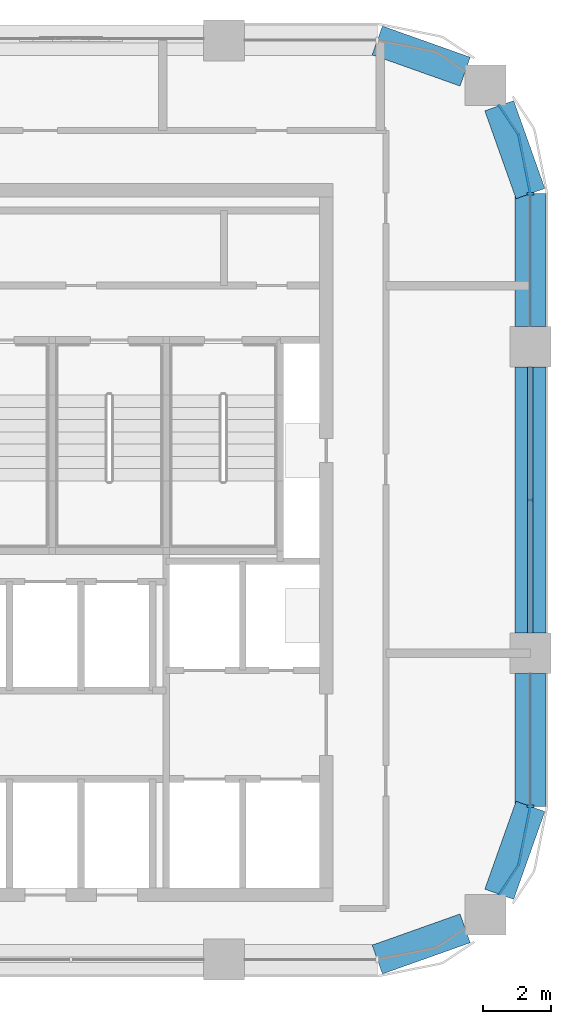
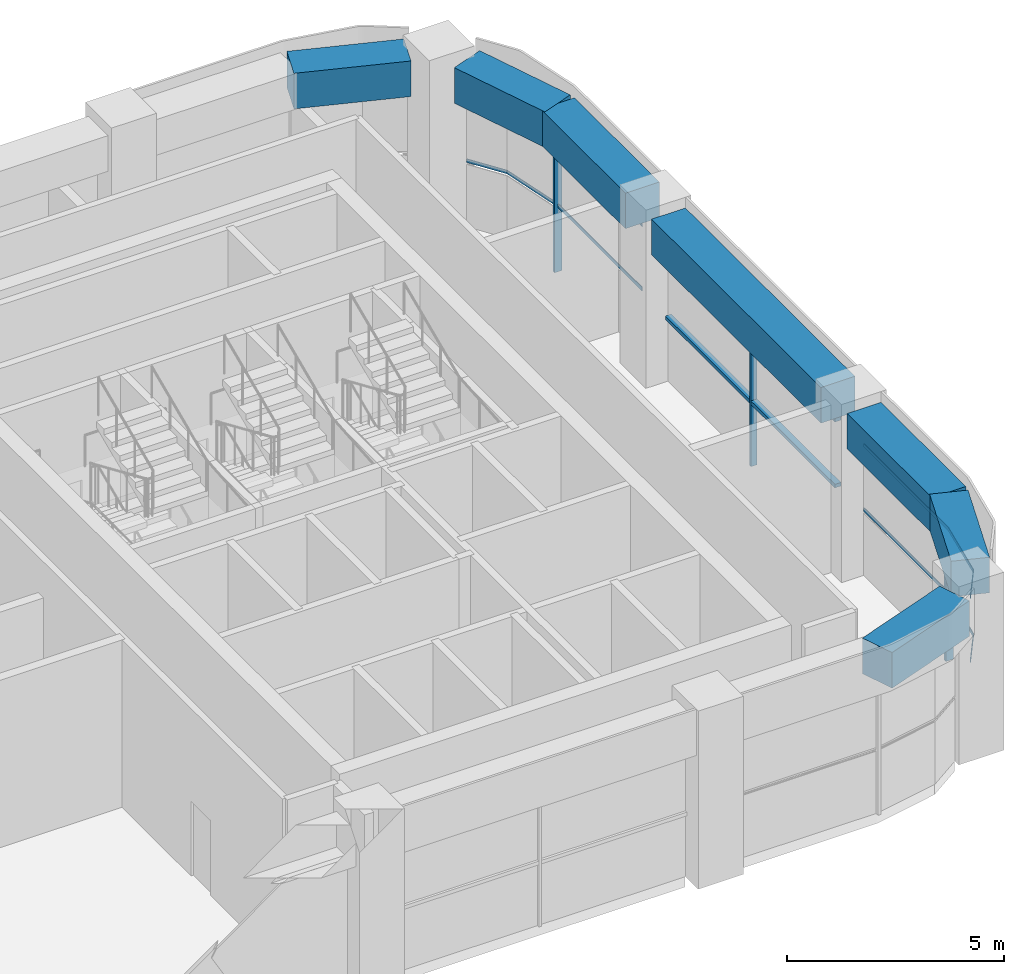
# One storey, part 5 of 15: 9 members, 7 beams, 3 elements without a shape of their own.
"""IFC4 building model written with IfcOpenShell, lengths in metres."""

from ifc_helpers import new_model, si_unit, direction, frame, origin, origin_2d, place, context, subcontext, project, spatial, polyline, rectangle, outline, extrude, material, material_profile, profile_set, type_object, element, aggregate, save


model = new_model("IFC4")

# Units and contexts
model_context = context("Model", 3, precision=1e-05, world=origin(), true_north=direction((0.0, 1.0)))
body_context = subcontext(model_context, "Body", "Model", "MODEL_VIEW")
ifc_project = project(units=[si_unit("LENGTHUNIT", "METRE"), si_unit("AREAUNIT", "SQUARE_METRE"), si_unit("VOLUMEUNIT", "CUBIC_METRE"), si_unit("PLANEANGLEUNIT", "RADIAN"), si_unit("MASSUNIT", "GRAM", prefix="KILO")], contexts=[model_context])

# Site, building, storey
site_placement = place(None, origin())
site = spatial("IfcSite", under=ifc_project, at=site_placement, CompositionType="ELEMENT")
building_placement = place(site_placement, origin())
building = spatial("IfcBuilding", under=site, at=building_placement, Name="Tessera Arch", CompositionType="ELEMENT")
storey_placement = place(building_placement, frame((0.0, 0.0, 285.199951171875)))
storey = spatial("IfcBuildingStorey", under=building, at=storey_placement, Name="L69", CompositionType="ELEMENT", Elevation=285.199951171875)

# Curtain wall, members
ifc_material_1 = material(Name="CW1 curtain wall")
curtain_wall_type_1 = type_object("IfcCurtainWallType", Name="CW1 curtain wall", PredefinedType="NOTDEFINED", material=ifc_material_1)
curtain_wall_1_placement = place(storey_placement, origin())
curtain_wall_1 = element("IfcCurtainWall", 1, at=curtain_wall_1_placement, inside=storey, type_object=curtain_wall_type_1, Name="CW1 curtain wall E54.27/0 L69", PredefinedType="NOTDEFINED")
ifc_material_2 = material(Name="Anodised aluminium pale metal", Category="aluminium")
ifc_material_profile_1 = material_profile(ifc_material_2, rectangle(XDim=0.159912109375, YDim=0.06005859375, at=origin_2d()), Name="AL 60x160")
ifc_profile_set_1 = profile_set([ifc_material_profile_1], Name="Anodised aluminium pale metal")
member_type_1 = type_object("IfcMemberType", Name="CW1 mullion", PredefinedType="MULLION", material=ifc_profile_set_1)
member_1_placement = place(storey_placement, frame((54.0, 40.5, 0.0), z_axis=(0.0, 0.0, 1.0), x_axis=(-1.0, 0.0, 0.0)))
member_1 = element("IfcMember", 2, at=member_1_placement, type_object=member_type_1, Name="CW1 mullion E54.27/0 1", PredefinedType="MULLION", context=body_context, shape_type="SweptSolid", body=[
    extrude(rectangle(XDim=0.159912109375, YDim=0.06005859375, at=origin_2d()), origin(), (0.0, 0.0, 1.0), 3.60009765625),
])
ifc_material_3 = material(Name="Anodised aluminium pale metal", Category="aluminium")
ifc_material_profile_2 = material_profile(ifc_material_3, rectangle(XDim=0.159912109375, YDim=0.10009765625, at=origin_2d()), Name="AL 160x100")
ifc_profile_set_2 = profile_set([ifc_material_profile_2], Name="Anodised aluminium pale metal")
member_type_2 = type_object("IfcMemberType", Name="CW1 transom", PredefinedType="USERDEFINED", material=ifc_profile_set_2)
member_2_placement = place(storey_placement, frame((54.0, 36.60009765625, 3.650146484375), z_axis=(0.0, 1.0, 0.0), x_axis=(-1.0, 0.0, 0.0)))
member_2 = element("IfcMember", 3, at=member_2_placement, type_object=member_type_2, Name="CW1 transom E54.27/0 1.1", ObjectType="TRANSOM", PredefinedType="USERDEFINED", context=body_context, shape_type="SweptSolid", body=[
    extrude(rectangle(XDim=0.159912109375, YDim=0.10009765625, at=origin_2d()), origin(), (0.0, 0.0, 1.0), 7.7998046875),
])
member_3_placement = place(storey_placement, frame((54.0, 36.60009765625, 1.800048828125), z_axis=(0.0, 1.0, 0.0), x_axis=(-1.0, 0.0, 0.0)))
member_3 = element("IfcMember", 4, at=member_3_placement, type_object=member_type_2, Name="CW1 transom E54.27/0 2.1", ObjectType="TRANSOM", PredefinedType="USERDEFINED", context=body_context, shape_type="SweptSolid", body=[
    extrude(rectangle(XDim=0.159912109375, YDim=0.10009765625, at=origin_2d()), origin(), (0.0, 0.0, 1.0), 7.7998046875),
])
aggregate(curtain_wall_1, [member_1, member_2, member_3])

# Curtain wall, member
ifc_material_4 = material(Name="CW2 curtain wall")
curtain_wall_type_2 = type_object("IfcCurtainWallType", Name="CW2 curtain wall", PredefinedType="NOTDEFINED", material=ifc_material_4)
curtain_wall_2_placement = place(storey_placement, origin())
curtain_wall_2 = element("IfcCurtainWall", 5, at=curtain_wall_2_placement, inside=storey, type_object=curtain_wall_type_2, Name="CW2 curtain wall E54.27/1 L69", PredefinedType="NOTDEFINED")
ifc_material_5 = material(Name="Anodised aluminium pale metal", Category="aluminium")
ifc_material_profile_3 = material_profile(ifc_material_5, rectangle(XDim=0.199951171875, YDim=0.080078125, at=origin_2d()), Name="AL 80x200")
ifc_profile_set_3 = profile_set([ifc_material_profile_3], Name="Anodised aluminium pale metal")
member_type_3 = type_object("IfcMemberType", Name="CW2 mullion", PredefinedType="MULLION", material=ifc_profile_set_3)
member_4_placement = place(storey_placement, frame((54.0, 49.5, 0.0), z_axis=(0.0, 0.0, 1.0), x_axis=(-1.0, 0.0, 0.0)))
member_4 = element("IfcMember", 6, at=member_4_placement, type_object=member_type_3, Name="CW2 mullion E54.27/1 1", PredefinedType="MULLION", context=body_context, shape_type="SweptSolid", body=[
    extrude(rectangle(XDim=0.199951171875, YDim=0.080078125, at=origin_2d()), origin(), (0.0, 0.0, 1.0), 3.60009765625),
])

curtain_wall_3_placement = place(storey_placement, origin())
curtain_wall_3 = element("IfcCurtainWall", 7, at=curtain_wall_3_placement, inside=storey, type_object=curtain_wall_type_2, Name="CW2 curtain wall E54.27/2 L69", PredefinedType="NOTDEFINED")
member_5_placement = place(storey_placement, frame((54.0, 31.5, 0.0), z_axis=(0.0, 0.0, 1.0), x_axis=(-1.0, 0.0, 0.0)))
member_5 = element("IfcMember", 8, at=member_5_placement, type_object=member_type_3, Name="CW2 mullion E54.27/2 1", PredefinedType="MULLION", context=body_context, shape_type="SweptSolid", body=[
    extrude(rectangle(XDim=0.199951171875, YDim=0.080078125, at=origin_2d()), origin(), (0.0, 0.0, 1.0), 3.60009765625),
])

# Member
ifc_material_6 = material(Name="Anodised aluminium pale metal", Category="aluminium")
ifc_material_profile_4 = material_profile(ifc_material_6, rectangle(XDim=0.199951171875, YDim=0.10009765625, at=origin_2d()), Name="AL 200x100")
ifc_profile_set_4 = profile_set([ifc_material_profile_4], Name="Anodised aluminium pale metal")
member_type_4 = type_object("IfcMemberType", Name="CW2 transom", PredefinedType="USERDEFINED", material=ifc_profile_set_4)
member_6_placement = place(storey_placement, frame((0.0, 0.0, 1.800048828125)))
member_6 = element("IfcMember", 9, at=member_6_placement, type_object=member_type_4, Name="CW2 transom E54.27/1 1", ObjectType="TRANSOM", PredefinedType="USERDEFINED", context=body_context, shape_type="SweptSolid", body=[
    extrude(outline(polyline([(53.989990234375, 49.4990234375), (53.989990234375, 45.60009765625), (54.010009765625, 45.60009765625), (54.010009765625, 49.5009765625), (53.6669921875, 51.22607421875), (53.09130859375, 52.087646484375), (53.07470703125, 52.076416015625), (53.648193359375, 51.21826171875), (53.989990234375, 49.4990234375)])), origin(), (0.0, 0.0, 1.0), 0.10009765625),
])

member_7_placement = place(storey_placement, frame((0.0, 0.0, 3.60009765625)))
member_7 = element("IfcMember", 10, at=member_7_placement, type_object=member_type_4, Name="CW2 transom E54.27/1 2", ObjectType="TRANSOM", PredefinedType="USERDEFINED", context=body_context, shape_type="SweptSolid", body=[
    extrude(outline(polyline([(53.989990234375, 49.4990234375), (53.989990234375, 45.60009765625), (54.010009765625, 45.60009765625), (54.010009765625, 49.5009765625), (53.6669921875, 51.22607421875), (53.09130859375, 52.087646484375), (53.07470703125, 52.076416015625), (53.648193359375, 51.21826171875), (53.989990234375, 49.4990234375)])), origin(), (0.0, 0.0, 1.0), 0.099853515625),
])

aggregate(curtain_wall_2, [member_4, member_6, member_7])

member_8_placement = place(storey_placement, frame((0.0, 0.0, 1.800048828125)))
member_8 = element("IfcMember", 11, at=member_8_placement, type_object=member_type_4, Name="CW2 transom E54.27/2 1", ObjectType="TRANSOM", PredefinedType="USERDEFINED", context=body_context, shape_type="SweptSolid", body=[
    extrude(outline(polyline([(53.648193359375, 29.78173828125), (53.07470703125, 28.923583984375), (53.09130859375, 28.912353515625), (53.6669921875, 29.77392578125), (54.010009765625, 31.4990234375), (54.010009765625, 35.39990234375), (53.989990234375, 35.39990234375), (53.989990234375, 31.5009765625), (53.648193359375, 29.78173828125)])), origin(), (0.0, 0.0, 1.0), 0.10009765625),
])

member_9_placement = place(storey_placement, frame((0.0, 0.0, 3.60009765625)))
member_9 = element("IfcMember", 12, at=member_9_placement, type_object=member_type_4, Name="CW2 transom E54.27/2 2", ObjectType="TRANSOM", PredefinedType="USERDEFINED", context=body_context, shape_type="SweptSolid", body=[
    extrude(outline(polyline([(53.648193359375, 29.78173828125), (53.07470703125, 28.923583984375), (53.09130859375, 28.912353515625), (53.6669921875, 29.77392578125), (54.010009765625, 31.4990234375), (54.010009765625, 35.39990234375), (53.989990234375, 35.39990234375), (53.989990234375, 31.5009765625), (53.648193359375, 29.78173828125)])), origin(), (0.0, 0.0, 1.0), 0.099853515625),
])

aggregate(curtain_wall_3, [member_5, member_8, member_9])

# Beams
ifc_material_7 = material(Name="Concrete C60/75", Category="concrete")
ifc_material_profile_5 = material_profile(ifc_material_7, rectangle(XDim=0.89990234375, YDim=1.0, at=origin_2d()), Name="RC spandrel beam 900 x 1000 Concrete C60/75")
ifc_profile_set_5 = profile_set([ifc_material_profile_5], Name="Concrete C60/75")
beam_type = type_object("IfcBeamType", Name="RC spandrel beam 900 x 1000 Concrete C60/75", PredefinedType="BEAM", material=ifc_profile_set_5)
beam_1_placement = place(storey_placement, frame((54.0, 36.60009765625, 4.199951171875), z_axis=(0.0, 1.0, 0.0), x_axis=(-1.0, 0.0, 0.0)))
element("IfcBeam", 13, at=beam_1_placement, inside=storey, type_object=beam_type, Name="Spandrel beam L69 E54.27/0", PredefinedType="BEAM", context=body_context, shape_type="SweptSolid", body=[
    extrude(rectangle(XDim=0.89990234375, YDim=1.0, at=origin_2d()), origin(), (0.0, 0.0, 1.0), 7.7998046875),
])
beam_2_placement = place(storey_placement, frame((54.0, 45.60009765625, 4.199951171875), z_axis=(0.0, 1.0, 0.0), x_axis=(-1.0, 0.0, 0.0)))
element("IfcBeam", 14, at=beam_2_placement, inside=storey, type_object=beam_type, Name="Spandrel beam L69 E54.27/1.1", PredefinedType="BEAM", context=body_context, shape_type="SweptSolid", body=[
    extrude(rectangle(XDim=0.89990234375, YDim=1.0, at=origin_2d()), origin(), (0.0, 0.0, 1.0), 3.89990234375),
])
for number, where, z_axis, x_axis, name in (
    (15, (54.0, 49.5, 4.199951171875), (-0.334665114373, 0.942337127159, 0.0), (-0.942337127159, -0.334665114373, 0.0), "Spandrel beam L69 E54.27/1.2"),
    (16, (52.08203125, 53.0830078125, 4.199951171875), (-0.942337127159, 0.334665114373, 0.0), (-0.334665114373, -0.942337127159, 0.0), "Spandrel beam L69 N54.18/0.1"),
    (17, (49.5, 27.0, 4.199951171875), (0.942337127159, 0.334665114373, 0.0), (-0.334665114373, 0.942337127159, 0.0), "Spandrel beam L69 S27.18/3.2"),
    (18, (53.0830078125, 28.91796875, 4.199951171875), (0.334665114373, 0.942337127159, 0.0), (-0.942337127159, 0.334665114373, 0.0), "Spandrel beam L69 E54.27/2.1"),
):
    element("IfcBeam", number, at=place(storey_placement, frame(where, z_axis=z_axis, x_axis=x_axis)), inside=storey, type_object=beam_type, Name=name, PredefinedType="BEAM", context=body_context, shape_type="SweptSolid", body=[
        extrude(rectangle(XDim=0.89990234375, YDim=1.0, at=origin_2d()), origin(), (0.0, 0.0, 1.0), 2.739990234375),
    ])
beam_3_placement = place(storey_placement, frame((54.0, 31.5, 4.199951171875), z_axis=(0.0, 1.0, 0.0), x_axis=(-1.0, 0.0, 0.0)))
element("IfcBeam", 19, at=beam_3_placement, inside=storey, type_object=beam_type, Name="Spandrel beam L69 E54.27/2.2", PredefinedType="BEAM", context=body_context, shape_type="SweptSolid", body=[
    extrude(rectangle(XDim=0.89990234375, YDim=1.0, at=origin_2d()), origin(), (0.0, 0.0, 1.0), 3.89990234375),
])

save(model, "model.ifc")
